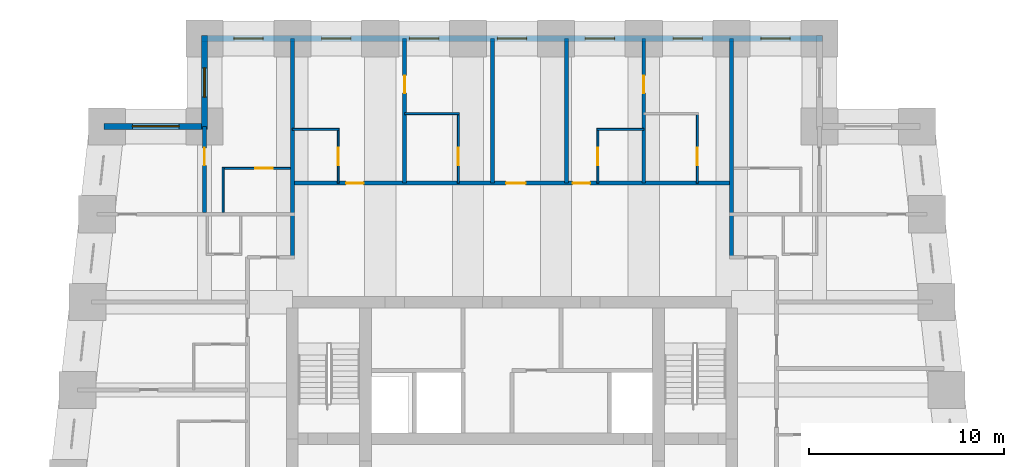
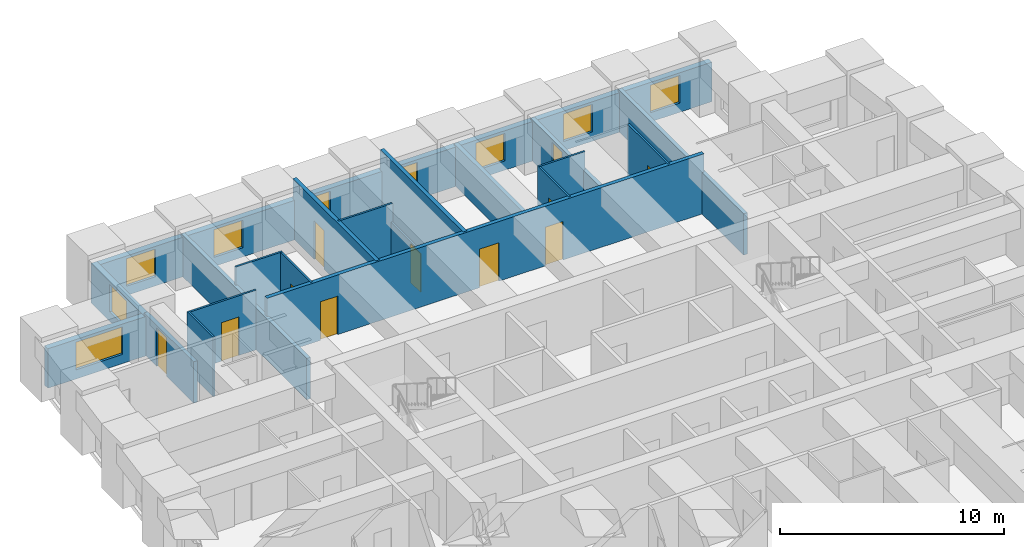
# One storey, part 6 of 8: 20 walls, 11 doors, 9 windows, 20 openings.
"""IFC4 building model written with IfcOpenShell, lengths in metres."""

from ifc_helpers import new_model, si_unit, direction, frame, frame_2d, origin, place, context, subcontext, project, spatial, rectangle, extrude, material, layer, layer_set, type_object, element, fill, save


model = new_model("IFC4")

# Units and contexts
model_context = context("Model", 3, precision=1e-05, world=origin(), true_north=direction((0.0, 1.0)))
body_context = subcontext(model_context, "Body", "Model", "MODEL_VIEW")
ifc_project = project(units=[si_unit("LENGTHUNIT", "METRE"), si_unit("AREAUNIT", "SQUARE_METRE"), si_unit("VOLUMEUNIT", "CUBIC_METRE"), si_unit("PLANEANGLEUNIT", "RADIAN"), si_unit("MASSUNIT", "GRAM", prefix="KILO")], contexts=[model_context])

# Site, building, storey
site_placement = place(None, origin())
site = spatial("IfcSite", under=ifc_project, at=site_placement, CompositionType="ELEMENT")
building_placement = place(site_placement, origin())
building = spatial("IfcBuilding", under=site, at=building_placement, Name="Kilele Tower Hotel", CompositionType="ELEMENT")
storey_placement = place(building_placement, frame((0.0, 0.0, 110.89990234375)))
storey = spatial("IfcBuildingStorey", under=building, at=storey_placement, Name="L28", CompositionType="ELEMENT", Elevation=110.89990234375)

# Wall
ifc_material_1 = material(Name="Moisture-resistant board")
ifc_layer_1 = layer(ifc_material_1, 0.10009765625)
ifc_layer_set_1 = layer_set([ifc_layer_1], Name="Moisture-resistant board")
wall_type_1 = type_object("IfcWallType", Name="Bathroom partition 100", PredefinedType="PLUMBINGWALL", material=ifc_layer_set_1)
wall_1_placement = place(storey_placement, frame((13.5, 35.85009765625, 0.0), z_axis=(0.0, 0.0, 1.0), x_axis=(1.0, 0.0, 0.0)))
element("IfcWall", 1, at=wall_1_placement, inside=storey, type_object=wall_type_1, Name="Bathroom partition 100 L28", PredefinedType="PLUMBINGWALL", context=body_context, shape_type="SweptSolid", body=[
    extrude(rectangle(XDim=2.39990234375, YDim=0.10009765625, at=frame_2d((1.199951171875, 0.0))), origin(), (0.0, 0.0, 1.0), 3.25),
])

# Wall, opening, door
wall_2_placement = place(storey_placement, frame((15.85009765625, 33.10009765625, 0.0), z_axis=(0.0, 0.0, 1.0), x_axis=(0.0, 1.0, 0.0)))
wall_2 = element("IfcWall", 2, at=wall_2_placement, inside=storey, type_object=wall_type_1, Name="Bathroom partition 100 L28", PredefinedType="PLUMBINGWALL", context=body_context, shape_type="SweptSolid", body=[
    extrude(rectangle(XDim=2.7998046875, YDim=0.10009765625, at=frame_2d((1.39990234375, 0.0))), origin(), (0.0, 0.0, 1.0), 3.25),
])
opening_1_placement = place(wall_2_placement, frame((1.7998046875, 0.0, 0.0), z_axis=(0.0, 0.0, 1.0), x_axis=(-1.0, 0.0, 0.0)))
opening_1 = element("IfcOpeningElement", 3, at=opening_1_placement, cuts=wall_2, Name="Opening D2A", PredefinedType="OPENING", context=body_context, shape_type="SweptSolid", body=[
    extrude(rectangle(XDim=0.89990234375, YDim=2.10009765625, at=frame_2d((0.449951171875, 1.050048828125))), frame((0.0, 0.06005859375, 0.0), z_axis=(0.0, -1.0, 0.0), x_axis=(1.0, 0.0, 0.0)), (0.0, 0.0, 1.0), 0.1201171875),
])
ifc_material_2 = material(Name="Timber door leaf in hardwood frame", Category="wood")
door_type_1 = type_object("IfcDoorType", Name="Bathroom door 900", OperationType="SINGLE_SWING_LEFT", PredefinedType="DOOR", material=ifc_material_2)
door_1_placement = place(opening_1_placement, origin())
door_1 = element("IfcDoor", 4, at=door_1_placement, inside=storey, type_object=door_type_1, Name="Bathroom door 2809B", OperationType="SINGLE_SWING_RIGHT", OverallHeight=2.10009765625, OverallWidth=0.89990234375, PredefinedType="DOOR", context=body_context, shape_type="SweptSolid", body=[
    extrude(rectangle(XDim=0.89990234375, YDim=2.10009765625, at=frame_2d((0.449951171875, 1.050048828125))), frame((0.0, 0.02490234375, 0.0), z_axis=(0.0, -1.0, 0.0), x_axis=(1.0, 0.0, 0.0)), (0.0, 0.0, 1.0), 0.050048828125),
])
fill(opening_1, door_1)

# Wall
wall_3_placement = place(storey_placement, frame((19.25, 36.64990234375, 0.0), z_axis=(0.0, 0.0, 1.0), x_axis=(1.0, 0.0, 0.0)))
element("IfcWall", 5, at=wall_3_placement, inside=storey, type_object=wall_type_1, Name="Bathroom partition 100 L28", PredefinedType="PLUMBINGWALL", context=body_context, shape_type="SweptSolid", body=[
    extrude(rectangle(XDim=2.800048828125, YDim=0.10009765625, at=frame_2d((1.39990234375, 0.0))), origin(), (0.0, 0.0, 1.0), 3.25),
])

# Wall, opening, door
wall_4_placement = place(storey_placement, frame((22.0, 33.10009765625, 0.0), z_axis=(0.0, 0.0, 1.0), x_axis=(0.0, 1.0, 0.0)))
wall_4 = element("IfcWall", 6, at=wall_4_placement, inside=storey, type_object=wall_type_1, Name="Bathroom partition 100 L28", PredefinedType="PLUMBINGWALL", context=body_context, shape_type="SweptSolid", body=[
    extrude(rectangle(XDim=3.599853515625, YDim=0.10009765625, at=frame_2d((1.7998046875, 0.0))), origin(), (0.0, 0.0, 1.0), 2.25),
])
opening_2_placement = place(wall_4_placement, frame((1.7998046875, 0.0, 0.0), z_axis=(0.0, 0.0, 1.0), x_axis=(-1.0, 0.0, 0.0)))
opening_2 = element("IfcOpeningElement", 7, at=opening_2_placement, cuts=wall_4, Name="Opening D2A", PredefinedType="OPENING", context=body_context, shape_type="SweptSolid", body=[
    extrude(rectangle(XDim=0.89990234375, YDim=2.10009765625, at=frame_2d((0.449951171875, 1.050048828125))), frame((0.0, 0.06005859375, 0.0), z_axis=(0.0, -1.0, 0.0), x_axis=(1.0, 0.0, 0.0)), (0.0, 0.0, 1.0), 0.1201171875),
])
door_2_placement = place(opening_2_placement, origin())
door_2 = element("IfcDoor", 8, at=door_2_placement, inside=storey, type_object=door_type_1, Name="Bathroom door 2810B", OperationType="SINGLE_SWING_RIGHT", OverallHeight=2.10009765625, OverallWidth=0.89990234375, PredefinedType="DOOR", context=body_context, shape_type="SweptSolid", body=[
    extrude(rectangle(XDim=0.89990234375, YDim=2.10009765625, at=frame_2d((0.449951171875, 1.050048828125))), frame((0.0, 0.02490234375, 0.0), z_axis=(0.0, -1.0, 0.0), x_axis=(1.0, 0.0, 0.0)), (0.0, 0.0, 1.0), 0.050048828125),
])
fill(opening_2, door_2)

# Wall
wall_5_placement = place(storey_placement, frame((29.10009765625, 35.85009765625, 0.0), z_axis=(0.0, 0.0, 1.0), x_axis=(1.0, 0.0, 0.0)))
element("IfcWall", 9, at=wall_5_placement, inside=storey, type_object=wall_type_1, Name="Bathroom partition 100 L28", PredefinedType="PLUMBINGWALL", context=body_context, shape_type="SweptSolid", body=[
    extrude(rectangle(XDim=2.39990234375, YDim=0.10009765625, at=frame_2d((1.199951171875, 0.0))), origin(), (0.0, 0.0, 1.0), 3.25),
])

# Wall, opening, door
wall_6_placement = place(storey_placement, frame((29.14990234375, 33.10009765625, 0.0), z_axis=(0.0, 0.0, 1.0), x_axis=(0.0, 1.0, 0.0)))
wall_6 = element("IfcWall", 10, at=wall_6_placement, inside=storey, type_object=wall_type_1, Name="Bathroom partition 100 L28", PredefinedType="PLUMBINGWALL", context=body_context, shape_type="SweptSolid", body=[
    extrude(rectangle(XDim=2.7998046875, YDim=0.10009765625, at=frame_2d((1.39990234375, 0.0))), origin(), (0.0, 0.0, 1.0), 3.25),
])
opening_3_placement = place(wall_6_placement, frame((0.89990234375, 0.0, 0.0)))
opening_3 = element("IfcOpeningElement", 11, at=opening_3_placement, cuts=wall_6, Name="Opening D2A", PredefinedType="OPENING", context=body_context, shape_type="SweptSolid", body=[
    extrude(rectangle(XDim=0.89990234375, YDim=2.10009765625, at=frame_2d((0.449951171875, 1.050048828125))), frame((0.0, 0.06005859375, 0.0), z_axis=(0.0, -1.0, 0.0), x_axis=(1.0, 0.0, 0.0)), (0.0, 0.0, 1.0), 0.1201171875),
])
door_3_placement = place(opening_3_placement, origin())
door_3 = element("IfcDoor", 12, at=door_3_placement, inside=storey, type_object=door_type_1, Name="Bathroom door 2812B", OperationType="SINGLE_SWING_LEFT", OverallHeight=2.10009765625, OverallWidth=0.89990234375, PredefinedType="DOOR", context=body_context, shape_type="SweptSolid", body=[
    extrude(rectangle(XDim=0.89990234375, YDim=2.10009765625, at=frame_2d((0.449951171875, 1.050048828125))), frame((0.0, 0.02490234375, 0.0), z_axis=(0.0, -1.0, 0.0), x_axis=(1.0, 0.0, 0.0)), (0.0, 0.0, 1.0), 0.050048828125),
])
fill(opening_3, door_3)

wall_7_placement = place(storey_placement, frame((34.25, 33.10009765625, 0.0), z_axis=(0.0, 0.0, 1.0), x_axis=(0.0, 1.0, 0.0)))
wall_7 = element("IfcWall", 13, at=wall_7_placement, inside=storey, type_object=wall_type_1, Name="Bathroom partition 100 L28", PredefinedType="PLUMBINGWALL", context=body_context, shape_type="SweptSolid", body=[
    extrude(rectangle(XDim=3.599853515625, YDim=0.10009765625, at=frame_2d((1.7998046875, 0.0))), origin(), (0.0, 0.0, 1.0), 3.25),
])
opening_4_placement = place(wall_7_placement, frame((1.7998046875, 0.0, 0.0), z_axis=(0.0, 0.0, 1.0), x_axis=(-1.0, 0.0, 0.0)))
opening_4 = element("IfcOpeningElement", 14, at=opening_4_placement, cuts=wall_7, Name="Opening D2A", PredefinedType="OPENING", context=body_context, shape_type="SweptSolid", body=[
    extrude(rectangle(XDim=0.89990234375, YDim=2.10009765625, at=frame_2d((0.449951171875, 1.050048828125))), frame((0.0, 0.06005859375, 0.0), z_axis=(0.0, -1.0, 0.0), x_axis=(1.0, 0.0, 0.0)), (0.0, 0.0, 1.0), 0.1201171875),
])
door_4_placement = place(opening_4_placement, origin())
door_4 = element("IfcDoor", 15, at=door_4_placement, inside=storey, type_object=door_type_1, Name="Bathroom door 2813B", OperationType="SINGLE_SWING_RIGHT", OverallHeight=2.10009765625, OverallWidth=0.89990234375, PredefinedType="DOOR", context=body_context, shape_type="SweptSolid", body=[
    extrude(rectangle(XDim=0.89990234375, YDim=2.10009765625, at=frame_2d((0.449951171875, 1.050048828125))), frame((0.0, 0.02490234375, 0.0), z_axis=(0.0, -1.0, 0.0), x_axis=(1.0, 0.0, 0.0)), (0.0, 0.0, 1.0), 0.050048828125),
])
fill(opening_4, door_4)

# Wall
wall_8_placement = place(storey_placement, frame((9.949951171875, 31.60009765625, 0.0), z_axis=(0.0, 0.0, 1.0), x_axis=(0.0, 1.0, 0.0)))
element("IfcWall", 16, at=wall_8_placement, inside=storey, type_object=wall_type_1, Name="Bathroom partition 100 L28", PredefinedType="PLUMBINGWALL", context=body_context, shape_type="SweptSolid", body=[
    extrude(rectangle(XDim=2.2998046875, YDim=0.10009765625, at=frame_2d((1.14990234375, 0.0))), origin(), (0.0, 0.0, 1.0), 3.25),
])

# Wall, opening, door
wall_9_placement = place(storey_placement, frame((13.39990234375, 33.85009765625, 0.0), z_axis=(0.0, 0.0, 1.0), x_axis=(-1.0, 0.0, 0.0)))
wall_9 = element("IfcWall", 17, at=wall_9_placement, inside=storey, type_object=wall_type_1, Name="Bathroom partition 100 L28", PredefinedType="PLUMBINGWALL", context=body_context, shape_type="SweptSolid", body=[
    extrude(rectangle(XDim=3.5, YDim=0.10009765625, at=frame_2d((1.75, 0.0))), origin(), (0.0, 0.0, 1.0), 3.25),
])
opening_5_placement = place(wall_9_placement, frame((1.7998046875, 0.0, 0.0), z_axis=(0.0, 0.0, 1.0), x_axis=(-1.0, 0.0, 0.0)))
opening_5 = element("IfcOpeningElement", 18, at=opening_5_placement, cuts=wall_9, Name="Opening D2A", PredefinedType="OPENING", context=body_context, shape_type="SweptSolid", body=[
    extrude(rectangle(XDim=0.89990234375, YDim=2.10009765625, at=frame_2d((0.449951171875, 1.050048828125))), frame((0.0, 0.06005859375, 0.0), z_axis=(0.0, -1.0, 0.0), x_axis=(1.0, 0.0, 0.0)), (0.0, 0.0, 1.0), 0.1201171875),
])
door_5_placement = place(opening_5_placement, origin())
door_5 = element("IfcDoor", 19, at=door_5_placement, inside=storey, type_object=door_type_1, Name="Bathroom door 2827B", OperationType="SINGLE_SWING_RIGHT", OverallHeight=2.10009765625, OverallWidth=0.89990234375, PredefinedType="DOOR", context=body_context, shape_type="SweptSolid", body=[
    extrude(rectangle(XDim=0.89990234375, YDim=2.10009765625, at=frame_2d((0.449951171875, 1.050048828125))), frame((0.0, 0.02490234375, 0.0), z_axis=(0.0, -1.0, 0.0), x_axis=(1.0, 0.0, 0.0)), (0.0, 0.0, 1.0), 0.050048828125),
])
fill(opening_5, door_5)

# Wall, openings, doors
ifc_material_3 = material(Name="Blockwork, plastered both sides", Category="masonry")
ifc_layer_2 = layer(ifc_material_3, 0.199951171875)
ifc_layer_set_2 = layer_set([ifc_layer_2], Name="Blockwork, plastered both sides")
wall_type_2 = type_object("IfcWallType", Name="Corridor wall 200", PredefinedType="PARTITIONING", material=ifc_layer_set_2)
wall_10_placement = place(storey_placement, frame((13.5, 33.10009765625, 0.0), z_axis=(0.0, 0.0, 1.0), x_axis=(1.0, 0.0, 0.0)))
wall_10 = element("IfcWall", 20, at=wall_10_placement, inside=storey, type_object=wall_type_2, Name="Corridor wall 200 L28", PredefinedType="PARTITIONING", context=body_context, shape_type="SweptSolid", body=[
    extrude(rectangle(XDim=22.5, YDim=0.199951171875, at=frame_2d((11.25, 0.0))), origin(), (0.0, 0.0, 1.0), 3.25),
])
opening_6_placement = place(wall_10_placement, frame((2.75, 0.0, 0.0)))
opening_6 = element("IfcOpeningElement", 21, at=opening_6_placement, cuts=wall_10, Name="Opening D1", PredefinedType="OPENING", context=body_context, shape_type="SweptSolid", body=[
    extrude(rectangle(XDim=0.89990234375, YDim=2.10009765625, at=frame_2d((0.449951171875, 1.050048828125))), frame((0.0, 0.10986328125, 0.0), z_axis=(0.0, -1.0, 0.0), x_axis=(1.0, 0.0, 0.0)), (0.0, 0.0, 1.0), 0.219970703125),
])
opening_7_placement = place(wall_10_placement, frame((10.949951171875, 0.0, 0.0)))
opening_7 = element("IfcOpeningElement", 22, at=opening_7_placement, cuts=wall_10, Name="Opening D8", PredefinedType="OPENING", context=body_context, shape_type="SweptSolid", body=[
    extrude(rectangle(XDim=1.0, YDim=2.10009765625, at=frame_2d((0.5, 1.050048828125))), frame((0.0, 0.10986328125, 0.0), z_axis=(0.0, -1.0, 0.0), x_axis=(1.0, 0.0, 0.0)), (0.0, 0.0, 1.0), 0.219970703125),
])
opening_8_placement = place(wall_10_placement, frame((14.35009765625, 0.0, 0.0)))
opening_8 = element("IfcOpeningElement", 23, at=opening_8_placement, cuts=wall_10, Name="Opening D1", PredefinedType="OPENING", context=body_context, shape_type="SweptSolid", body=[
    extrude(rectangle(XDim=0.89990234375, YDim=2.10009765625, at=frame_2d((0.449951171875, 1.050048828125))), frame((0.0, 0.10986328125, 0.0), z_axis=(0.0, -1.0, 0.0), x_axis=(1.0, 0.0, 0.0)), (0.0, 0.0, 1.0), 0.219970703125),
])
ifc_material_4 = material(Name="Timber door leaf in hardwood frame", Category="wood")
door_type_2 = type_object("IfcDoorType", Name="Door 1000", OperationType="SINGLE_SWING_LEFT", PredefinedType="DOOR", material=ifc_material_4)
door_6_placement = place(opening_7_placement, origin())
door_6 = element("IfcDoor", 24, at=door_6_placement, inside=storey, type_object=door_type_2, Name="Room entrance 2811", OperationType="SINGLE_SWING_LEFT", OverallHeight=2.10009765625, OverallWidth=1.0, PredefinedType="DOOR", context=body_context, shape_type="SweptSolid", body=[
    extrude(rectangle(XDim=1.0, YDim=2.10009765625, at=frame_2d((0.5, 1.050048828125))), frame((0.0, 0.02490234375, 0.0), z_axis=(0.0, -1.0, 0.0), x_axis=(1.0, 0.0, 0.0)), (0.0, 0.0, 1.0), 0.050048828125),
])
fill(opening_7, door_6)
ifc_material_5 = material(Name="Timber door leaf in hardwood frame", Category="wood")
door_type_3 = type_object("IfcDoorType", Name="Guest room entrance door 900", OperationType="SINGLE_SWING_LEFT", PredefinedType="DOOR", material=ifc_material_5)
door_7_placement = place(opening_6_placement, origin())
door_7 = element("IfcDoor", 25, at=door_7_placement, inside=storey, type_object=door_type_3, Name="Room entrance 2809", OperationType="SINGLE_SWING_LEFT", OverallHeight=2.10009765625, OverallWidth=0.89990234375, PredefinedType="DOOR", context=body_context, shape_type="SweptSolid", body=[
    extrude(rectangle(XDim=0.89990234375, YDim=2.10009765625, at=frame_2d((0.449951171875, 1.050048828125))), frame((0.0, 0.02490234375, 0.0), z_axis=(0.0, -1.0, 0.0), x_axis=(1.0, 0.0, 0.0)), (0.0, 0.0, 1.0), 0.050048828125),
])
fill(opening_6, door_7)
door_8_placement = place(opening_8_placement, origin())
door_8 = element("IfcDoor", 26, at=door_8_placement, inside=storey, type_object=door_type_3, Name="Room entrance 2812", OperationType="SINGLE_SWING_LEFT", OverallHeight=2.10009765625, OverallWidth=0.89990234375, PredefinedType="DOOR", context=body_context, shape_type="SweptSolid", body=[
    extrude(rectangle(XDim=0.89990234375, YDim=2.10009765625, at=frame_2d((0.449951171875, 1.050048828125))), frame((0.0, 0.02490234375, 0.0), z_axis=(0.0, -1.0, 0.0), x_axis=(1.0, 0.0, 0.0)), (0.0, 0.0, 1.0), 0.050048828125),
])
fill(opening_8, door_8)

# Wall, opening, door
ifc_material_6 = material(Name="Blockwork, plastered both sides", Category="masonry")
ifc_layer_3 = layer(ifc_material_6, 0.199951171875)
ifc_layer_set_3 = layer_set([ifc_layer_3], Name="Blockwork, plastered both sides")
wall_type_3 = type_object("IfcWallType", Name="Partition wall 200", PredefinedType="PARTITIONING", material=ifc_layer_set_3)
wall_11_placement = place(storey_placement, frame((9.0, 31.60009765625, 0.0), z_axis=(0.0, 0.0, 1.0), x_axis=(0.0, 1.0, 0.0)))
wall_11 = element("IfcWall", 27, at=wall_11_placement, inside=storey, type_object=wall_type_3, Name="Partition wall 200 L28", PredefinedType="PARTITIONING", context=body_context, shape_type="SweptSolid", body=[
    extrude(rectangle(XDim=4.39990234375, YDim=0.199951171875, at=frame_2d((2.199951171875, 0.0))), origin(), (0.0, 0.0, 1.0), 2.25),
])
opening_9_placement = place(wall_11_placement, frame((3.2998046875, 0.0, 0.0), z_axis=(0.0, 0.0, 1.0), x_axis=(-1.0, 0.0, 0.0)))
opening_9 = element("IfcOpeningElement", 28, at=opening_9_placement, cuts=wall_11, Name="Opening D3", PredefinedType="OPENING", context=body_context, shape_type="SweptSolid", body=[
    extrude(rectangle(XDim=0.89990234375, YDim=2.10009765625, at=frame_2d((0.449951171875, 1.050048828125))), frame((0.0, 0.10986328125, 0.0), z_axis=(0.0, -1.0, 0.0), x_axis=(1.0, 0.0, 0.0)), (0.0, 0.0, 1.0), 0.219970703125),
])
ifc_material_7 = material(Name="Timber door leaf in hardwood frame", Category="wood")
door_type_4 = type_object("IfcDoorType", Name="Suite internal door 900", OperationType="SINGLE_SWING_LEFT", PredefinedType="DOOR", material=ifc_material_7)
door_9_placement = place(opening_9_placement, origin())
door_9 = element("IfcDoor", 29, at=door_9_placement, inside=storey, type_object=door_type_4, Name="Suite door 2828", OperationType="SINGLE_SWING_RIGHT", OverallHeight=2.10009765625, OverallWidth=0.89990234375, PredefinedType="DOOR", context=body_context, shape_type="SweptSolid", body=[
    extrude(rectangle(XDim=0.89990234375, YDim=2.10009765625, at=frame_2d((0.449951171875, 1.050048828125))), frame((0.0, 0.02490234375, 0.0), z_axis=(0.0, -1.0, 0.0), x_axis=(1.0, 0.0, 0.0)), (0.0, 0.0, 1.0), 0.050048828125),
])
fill(opening_9, door_9)

ifc_material_8 = material(Name="Blockwork, plastered both sides", Category="masonry")
ifc_layer_4 = layer(ifc_material_8, 0.199951171875)
ifc_layer_set_4 = layer_set([ifc_layer_4], Name="Blockwork, plastered both sides")
wall_type_4 = type_object("IfcWallType", Name="Party wall 200", PredefinedType="PARTITIONING", material=ifc_layer_set_4)
wall_12_placement = place(storey_placement, frame((19.25, 33.10009765625, 0.0), z_axis=(0.0, 0.0, 1.0), x_axis=(0.0, 1.0, 0.0)))
wall_12 = element("IfcWall", 30, at=wall_12_placement, inside=storey, type_object=wall_type_4, Name="Party wall 200 L28", PredefinedType="PARTITIONING", context=body_context, shape_type="SweptSolid", body=[
    extrude(rectangle(XDim=7.39990234375, YDim=0.199951171875, at=frame_2d((3.699951171875, 0.0))), origin(), (0.0, 0.0, 1.0), 3.25),
])
opening_10_placement = place(wall_12_placement, frame((5.5, 0.0, 0.0), z_axis=(0.0, 0.0, 1.0), x_axis=(-1.0, 0.0, 0.0)))
opening_10 = element("IfcOpeningElement", 31, at=opening_10_placement, cuts=wall_12, Name="Opening D3", PredefinedType="OPENING", context=body_context, shape_type="SweptSolid", body=[
    extrude(rectangle(XDim=0.89990234375, YDim=2.10009765625, at=frame_2d((0.449951171875, 1.050048828125))), frame((0.0, 0.10986328125, 0.0), z_axis=(0.0, -1.0, 0.0), x_axis=(1.0, 0.0, 0.0)), (0.0, 0.0, 1.0), 0.219970703125),
])
door_10_placement = place(opening_10_placement, origin())
door_10 = element("IfcDoor", 32, at=door_10_placement, inside=storey, type_object=door_type_4, Name="Suite door 2810", OperationType="SINGLE_SWING_RIGHT", OverallHeight=2.10009765625, OverallWidth=0.89990234375, PredefinedType="DOOR", context=body_context, shape_type="SweptSolid", body=[
    extrude(rectangle(XDim=0.89990234375, YDim=2.10009765625, at=frame_2d((0.449951171875, 1.050048828125))), frame((0.0, 0.02490234375, 0.0), z_axis=(0.0, -1.0, 0.0), x_axis=(1.0, 0.0, 0.0)), (0.0, 0.0, 1.0), 0.050048828125),
])
fill(opening_10, door_10)

# Walls
wall_13_placement = place(storey_placement, frame((23.75, 33.10009765625, 0.0), z_axis=(0.0, 0.0, 1.0), x_axis=(0.0, 1.0, 0.0)))
element("IfcWall", 33, at=wall_13_placement, inside=storey, type_object=wall_type_4, Name="Party wall 200 L28", PredefinedType="PARTITIONING", context=body_context, shape_type="SweptSolid", body=[
    extrude(rectangle(XDim=7.39990234375, YDim=0.199951171875, at=frame_2d((3.699951171875, 0.0))), origin(), (0.0, 0.0, 1.0), 3.25),
])
wall_14_placement = place(storey_placement, frame((27.550048828125, 33.10009765625, 0.0), z_axis=(0.0, 0.0, 1.0), x_axis=(0.0, 1.0, 0.0)))
element("IfcWall", 34, at=wall_14_placement, inside=storey, type_object=wall_type_4, Name="Party wall 200 L28", PredefinedType="PARTITIONING", context=body_context, shape_type="SweptSolid", body=[
    extrude(rectangle(XDim=7.39990234375, YDim=0.199951171875, at=frame_2d((3.699951171875, 0.0))), origin(), (0.0, 0.0, 1.0), 2.25),
])

# Wall, opening, door
wall_15_placement = place(storey_placement, frame((31.5, 33.10009765625, 0.0), z_axis=(0.0, 0.0, 1.0), x_axis=(0.0, 1.0, 0.0)))
wall_15 = element("IfcWall", 35, at=wall_15_placement, inside=storey, type_object=wall_type_4, Name="Party wall 200 L28", PredefinedType="PARTITIONING", context=body_context, shape_type="SweptSolid", body=[
    extrude(rectangle(XDim=7.39990234375, YDim=0.199951171875, at=frame_2d((3.699951171875, 0.0))), origin(), (0.0, 0.0, 1.0), 2.25),
])
opening_11_placement = place(wall_15_placement, frame((5.5, 0.0, 0.0), z_axis=(0.0, 0.0, 1.0), x_axis=(-1.0, 0.0, 0.0)))
opening_11 = element("IfcOpeningElement", 36, at=opening_11_placement, cuts=wall_15, Name="Opening D3", PredefinedType="OPENING", context=body_context, shape_type="SweptSolid", body=[
    extrude(rectangle(XDim=0.89990234375, YDim=2.10009765625, at=frame_2d((0.449951171875, 1.050048828125))), frame((0.0, 0.10986328125, 0.0), z_axis=(0.0, -1.0, 0.0), x_axis=(1.0, 0.0, 0.0)), (0.0, 0.0, 1.0), 0.219970703125),
])
door_11_placement = place(opening_11_placement, origin())
door_11 = element("IfcDoor", 37, at=door_11_placement, inside=storey, type_object=door_type_4, Name="Suite door 2813", OperationType="SINGLE_SWING_RIGHT", OverallHeight=2.10009765625, OverallWidth=0.89990234375, PredefinedType="DOOR", context=body_context, shape_type="SweptSolid", body=[
    extrude(rectangle(XDim=0.89990234375, YDim=2.10009765625, at=frame_2d((0.449951171875, 1.050048828125))), frame((0.0, 0.02490234375, 0.0), z_axis=(0.0, -1.0, 0.0), x_axis=(1.0, 0.0, 0.0)), (0.0, 0.0, 1.0), 0.050048828125),
])
fill(opening_11, door_11)

# Walls
for number, where, z_axis, x_axis, name in (
    (38, (36.0, 29.300048828125, 0.0), (0.0, 0.0, 1.0), (0.0, 1.0, 0.0), "Party wall 200 L28"),
    (39, (13.5, 29.300048828125, 0.0), (0.0, 0.0, 1.0), (0.0, 1.0, 0.0), "Party wall 200 L28"),
):
    element("IfcWall", number, at=place(storey_placement, frame(where, z_axis=z_axis, x_axis=x_axis)), inside=storey, type_object=wall_type_4, Name=name, PredefinedType="PARTITIONING", context=body_context, shape_type="SweptSolid", body=[
        extrude(rectangle(XDim=11.199951171875, YDim=0.199951171875, at=frame_2d((5.60009765625, 0.0))), origin(), (0.0, 0.0, 1.0), 2.25),
    ])

# Wall, openings, windows
ifc_material_9 = material(Name="Concrete C40/50 precast", Category="concrete")
ifc_layer_5 = layer(ifc_material_9, 0.260009765625, Name="Precast backing", Category="LoadBearing")
ifc_material_10 = material(Name="Reconstituted stone finish", Category="masonry")
ifc_layer_6 = layer(ifc_material_10, 0.0400390625, Name="Face mix", Category="Finish")
ifc_layer_set_5 = layer_set([ifc_layer_5, ifc_layer_6], Name="Precast concrete C40/50, reconstituted stone finish")
wall_type_5 = type_object("IfcWallType", Name="Precast stone facade wall 300", PredefinedType="STANDARD", material=ifc_layer_set_5)
wall_16_placement = place(storey_placement, frame((40.64990234375, 40.5, 0.0), z_axis=(0.0, 0.0, 1.0), x_axis=(-1.0, 0.0, 0.0)))
wall_16 = element("IfcWall", 40, at=wall_16_placement, inside=storey, type_object=wall_type_5, Name="Facade wall L28 edge 9", PredefinedType="STANDARD", context=body_context, shape_type="SweptSolid", body=[
    extrude(rectangle(XDim=31.7998046875, YDim=0.300048828125, at=frame_2d((15.89990234375, 0.0))), origin(), (0.0, 0.0, 1.0), 2.150146484375),
])
opening_12_placement = place(wall_16_placement, frame((1.64990234375, 0.0, 0.5)))
opening_12 = element("IfcOpeningElement", 41, at=opening_12_placement, cuts=wall_16, Name="Opening W2", PredefinedType="OPENING", context=body_context, shape_type="SweptSolid", body=[
    extrude(rectangle(XDim=1.5, YDim=1.5, at=frame_2d((0.75, 0.75))), frame((0.0, 0.159912109375, 0.0), z_axis=(0.0, -1.0, 0.0), x_axis=(1.0, 0.0, 0.0)), (0.0, 0.0, 1.0), 0.320068359375),
])
opening_13_placement = place(wall_16_placement, frame((6.14990234375, 0.0, 0.5)))
opening_13 = element("IfcOpeningElement", 42, at=opening_13_placement, cuts=wall_16, Name="Opening W2", PredefinedType="OPENING", context=body_context, shape_type="SweptSolid", body=[
    extrude(rectangle(XDim=1.5, YDim=1.5, at=frame_2d((0.75, 0.75))), frame((0.0, 0.159912109375, 0.0), z_axis=(0.0, -1.0, 0.0), x_axis=(1.0, 0.0, 0.0)), (0.0, 0.0, 1.0), 0.320068359375),
])
opening_14_placement = place(wall_16_placement, frame((10.64990234375, 0.0, 0.5)))
opening_14 = element("IfcOpeningElement", 43, at=opening_14_placement, cuts=wall_16, Name="Opening W2", PredefinedType="OPENING", context=body_context, shape_type="SweptSolid", body=[
    extrude(rectangle(XDim=1.5, YDim=1.5, at=frame_2d((0.75, 0.75))), frame((0.0, 0.159912109375, 0.0), z_axis=(0.0, -1.0, 0.0), x_axis=(1.0, 0.0, 0.0)), (0.0, 0.0, 1.0), 0.320068359375),
])
opening_15_placement = place(wall_16_placement, frame((15.14990234375, 0.0, 0.5)))
opening_15 = element("IfcOpeningElement", 44, at=opening_15_placement, cuts=wall_16, Name="Opening W2", PredefinedType="OPENING", context=body_context, shape_type="SweptSolid", body=[
    extrude(rectangle(XDim=1.5, YDim=1.5, at=frame_2d((0.75, 0.75))), frame((0.0, 0.159912109375, 0.0), z_axis=(0.0, -1.0, 0.0), x_axis=(1.0, 0.0, 0.0)), (0.0, 0.0, 1.0), 0.320068359375),
])
opening_16_placement = place(wall_16_placement, frame((19.64990234375, 0.0, 0.5)))
opening_16 = element("IfcOpeningElement", 45, at=opening_16_placement, cuts=wall_16, Name="Opening W2", PredefinedType="OPENING", context=body_context, shape_type="SweptSolid", body=[
    extrude(rectangle(XDim=1.5, YDim=1.5, at=frame_2d((0.75, 0.75))), frame((0.0, 0.159912109375, 0.0), z_axis=(0.0, -1.0, 0.0), x_axis=(1.0, 0.0, 0.0)), (0.0, 0.0, 1.0), 0.320068359375),
])
opening_17_placement = place(wall_16_placement, frame((24.14990234375, 0.0, 0.5)))
opening_17 = element("IfcOpeningElement", 46, at=opening_17_placement, cuts=wall_16, Name="Opening W2", PredefinedType="OPENING", context=body_context, shape_type="SweptSolid", body=[
    extrude(rectangle(XDim=1.5, YDim=1.5, at=frame_2d((0.75, 0.75))), frame((0.0, 0.159912109375, 0.0), z_axis=(0.0, -1.0, 0.0), x_axis=(1.0, 0.0, 0.0)), (0.0, 0.0, 1.0), 0.320068359375),
])
opening_18_placement = place(wall_16_placement, frame((28.64990234375, 0.0, 0.5)))
opening_18 = element("IfcOpeningElement", 47, at=opening_18_placement, cuts=wall_16, Name="Opening W2", PredefinedType="OPENING", context=body_context, shape_type="SweptSolid", body=[
    extrude(rectangle(XDim=1.5, YDim=1.5, at=frame_2d((0.75, 0.75))), frame((0.0, 0.159912109375, 0.0), z_axis=(0.0, -1.0, 0.0), x_axis=(1.0, 0.0, 0.0)), (0.0, 0.0, 1.0), 0.320068359375),
])
ifc_material_11 = material(Name="Aluminium frame, clear double glazing", Category="aluminium")
window_type_1 = type_object("IfcWindowType", Name="Window W2 1500 x 1500", PartitioningType="SINGLE_PANEL", PredefinedType="WINDOW", material=ifc_material_11)
window_1_placement = place(opening_12_placement, origin())
window_1 = element("IfcWindow", 48, at=window_1_placement, inside=storey, type_object=window_type_1, Name="Window L28", OverallHeight=1.5, OverallWidth=1.5, PartitioningType="SINGLE_PANEL", PredefinedType="WINDOW", context=body_context, shape_type="SweptSolid", body=[
    extrude(rectangle(XDim=1.5, YDim=1.5, at=frame_2d((0.75, 0.75))), frame((0.0, 0.030029296875, 0.0), z_axis=(0.0, -1.0, 0.0), x_axis=(1.0, 0.0, 0.0)), (0.0, 0.0, 1.0), 0.06005859375),
])
fill(opening_12, window_1)
window_2_placement = place(opening_13_placement, origin())
window_2 = element("IfcWindow", 49, at=window_2_placement, inside=storey, type_object=window_type_1, Name="Window L28", OverallHeight=1.5, OverallWidth=1.5, PartitioningType="SINGLE_PANEL", PredefinedType="WINDOW", context=body_context, shape_type="SweptSolid", body=[
    extrude(rectangle(XDim=1.5, YDim=1.5, at=frame_2d((0.75, 0.75))), frame((0.0, 0.030029296875, 0.0), z_axis=(0.0, -1.0, 0.0), x_axis=(1.0, 0.0, 0.0)), (0.0, 0.0, 1.0), 0.06005859375),
])
fill(opening_13, window_2)
window_3_placement = place(opening_14_placement, origin())
window_3 = element("IfcWindow", 50, at=window_3_placement, inside=storey, type_object=window_type_1, Name="Window L28", OverallHeight=1.5, OverallWidth=1.5, PartitioningType="SINGLE_PANEL", PredefinedType="WINDOW", context=body_context, shape_type="SweptSolid", body=[
    extrude(rectangle(XDim=1.5, YDim=1.5, at=frame_2d((0.75, 0.75))), frame((0.0, 0.030029296875, 0.0), z_axis=(0.0, -1.0, 0.0), x_axis=(1.0, 0.0, 0.0)), (0.0, 0.0, 1.0), 0.06005859375),
])
fill(opening_14, window_3)
window_4_placement = place(opening_15_placement, origin())
window_4 = element("IfcWindow", 51, at=window_4_placement, inside=storey, type_object=window_type_1, Name="Window L28", OverallHeight=1.5, OverallWidth=1.5, PartitioningType="SINGLE_PANEL", PredefinedType="WINDOW", context=body_context, shape_type="SweptSolid", body=[
    extrude(rectangle(XDim=1.5, YDim=1.5, at=frame_2d((0.75, 0.75))), frame((0.0, 0.030029296875, 0.0), z_axis=(0.0, -1.0, 0.0), x_axis=(1.0, 0.0, 0.0)), (0.0, 0.0, 1.0), 0.06005859375),
])
fill(opening_15, window_4)
window_5_placement = place(opening_16_placement, origin())
window_5 = element("IfcWindow", 52, at=window_5_placement, inside=storey, type_object=window_type_1, Name="Window L28", OverallHeight=1.5, OverallWidth=1.5, PartitioningType="SINGLE_PANEL", PredefinedType="WINDOW", context=body_context, shape_type="SweptSolid", body=[
    extrude(rectangle(XDim=1.5, YDim=1.5, at=frame_2d((0.75, 0.75))), frame((0.0, 0.030029296875, 0.0), z_axis=(0.0, -1.0, 0.0), x_axis=(1.0, 0.0, 0.0)), (0.0, 0.0, 1.0), 0.06005859375),
])
fill(opening_16, window_5)
window_6_placement = place(opening_17_placement, origin())
window_6 = element("IfcWindow", 53, at=window_6_placement, inside=storey, type_object=window_type_1, Name="Window L28", OverallHeight=1.5, OverallWidth=1.5, PartitioningType="SINGLE_PANEL", PredefinedType="WINDOW", context=body_context, shape_type="SweptSolid", body=[
    extrude(rectangle(XDim=1.5, YDim=1.5, at=frame_2d((0.75, 0.75))), frame((0.0, 0.030029296875, 0.0), z_axis=(0.0, -1.0, 0.0), x_axis=(1.0, 0.0, 0.0)), (0.0, 0.0, 1.0), 0.06005859375),
])
fill(opening_17, window_6)
window_7_placement = place(opening_18_placement, origin())
window_7 = element("IfcWindow", 54, at=window_7_placement, inside=storey, type_object=window_type_1, Name="Window L28", OverallHeight=1.5, OverallWidth=1.5, PartitioningType="SINGLE_PANEL", PredefinedType="WINDOW", context=body_context, shape_type="SweptSolid", body=[
    extrude(rectangle(XDim=1.5, YDim=1.5, at=frame_2d((0.75, 0.75))), frame((0.0, 0.030029296875, 0.0), z_axis=(0.0, -1.0, 0.0), x_axis=(1.0, 0.0, 0.0)), (0.0, 0.0, 1.0), 0.06005859375),
])
fill(opening_18, window_7)

# Wall, opening, window
wall_17_placement = place(storey_placement, frame((9.0, 40.64990234375, 0.0), z_axis=(0.0, 0.0, 1.0), x_axis=(0.0, -1.0, 0.0)))
wall_17 = element("IfcWall", 55, at=wall_17_placement, inside=storey, type_object=wall_type_5, Name="Facade wall L28 edge 10", PredefinedType="STANDARD", context=body_context, shape_type="SweptSolid", body=[
    extrude(rectangle(XDim=4.7998046875, YDim=0.300048828125, at=frame_2d((2.39990234375, 0.0))), origin(), (0.0, 0.0, 1.0), 2.150146484375),
])
opening_19_placement = place(wall_17_placement, frame((1.64990234375, 0.0, 0.5)))
opening_19 = element("IfcOpeningElement", 56, at=opening_19_placement, cuts=wall_17, Name="Opening W2", PredefinedType="OPENING", context=body_context, shape_type="SweptSolid", body=[
    extrude(rectangle(XDim=1.5, YDim=1.5, at=frame_2d((0.75, 0.75))), frame((0.0, 0.159912109375, 0.0), z_axis=(0.0, -1.0, 0.0), x_axis=(1.0, 0.0, 0.0)), (0.0, 0.0, 1.0), 0.320068359375),
])
window_8_placement = place(opening_19_placement, origin())
window_8 = element("IfcWindow", 57, at=window_8_placement, inside=storey, type_object=window_type_1, Name="Window L28", OverallHeight=1.5, OverallWidth=1.5, PartitioningType="SINGLE_PANEL", PredefinedType="WINDOW", context=body_context, shape_type="SweptSolid", body=[
    extrude(rectangle(XDim=1.5, YDim=1.5, at=frame_2d((0.75, 0.75))), frame((0.0, 0.030029296875, 0.0), z_axis=(0.0, -1.0, 0.0), x_axis=(1.0, 0.0, 0.0)), (0.0, 0.0, 1.0), 0.06005859375),
])
fill(opening_19, window_8)

wall_18_placement = place(storey_placement, frame((9.14990234375, 36.0, 0.0), z_axis=(0.0, 0.0, 1.0), x_axis=(-1.0, 0.0, 0.0)))
wall_18 = element("IfcWall", 58, at=wall_18_placement, inside=storey, type_object=wall_type_5, Name="Facade wall L28 edge 11", PredefinedType="STANDARD", context=body_context, shape_type="SweptSolid", body=[
    extrude(rectangle(XDim=5.2998046875, YDim=0.300048828125, at=frame_2d((2.64990234375, 0.0))), origin(), (0.0, 0.0, 1.0), 2.150146484375),
])
opening_20_placement = place(wall_18_placement, frame((1.449951171875, 0.0, 0.5)))
opening_20 = element("IfcOpeningElement", 59, at=opening_20_placement, cuts=wall_18, Name="Opening W2", PredefinedType="OPENING", context=body_context, shape_type="SweptSolid", body=[
    extrude(rectangle(XDim=2.39990234375, YDim=1.5, at=frame_2d((1.199951171875, 0.75))), frame((0.0, 0.159912109375, 0.0), z_axis=(0.0, -1.0, 0.0), x_axis=(1.0, 0.0, 0.0)), (0.0, 0.0, 1.0), 0.320068359375),
])
ifc_material_12 = material(Name="Aluminium frame, clear double glazing", Category="aluminium")
window_type_2 = type_object("IfcWindowType", Name="Window W2 2400 x 1500", PartitioningType="SINGLE_PANEL", PredefinedType="WINDOW", material=ifc_material_12)
window_9_placement = place(opening_20_placement, origin())
window_9 = element("IfcWindow", 60, at=window_9_placement, inside=storey, type_object=window_type_2, Name="Window L28", OverallHeight=1.5, OverallWidth=2.39990234375, PartitioningType="SINGLE_PANEL", PredefinedType="WINDOW", context=body_context, shape_type="SweptSolid", body=[
    extrude(rectangle(XDim=2.39990234375, YDim=1.5, at=frame_2d((1.199951171875, 0.75))), frame((0.0, 0.030029296875, 0.0), z_axis=(0.0, -1.0, 0.0), x_axis=(1.0, 0.0, 0.0)), (0.0, 0.0, 1.0), 0.06005859375),
])
fill(opening_20, window_9)

save(model, "model.ifc")
